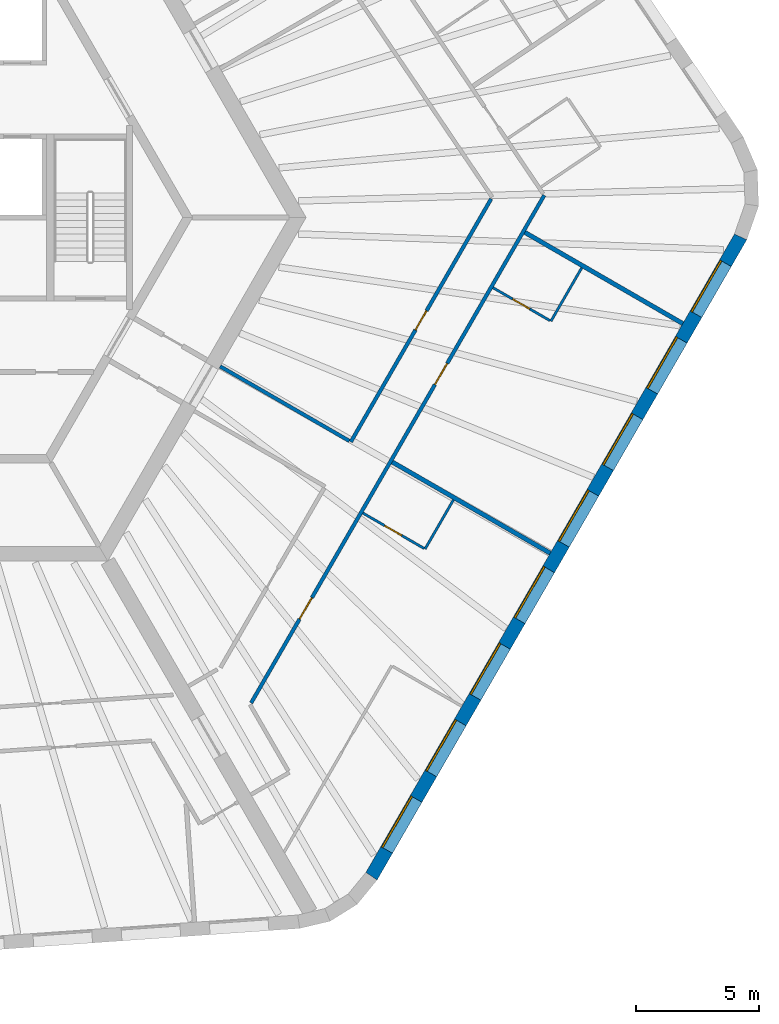
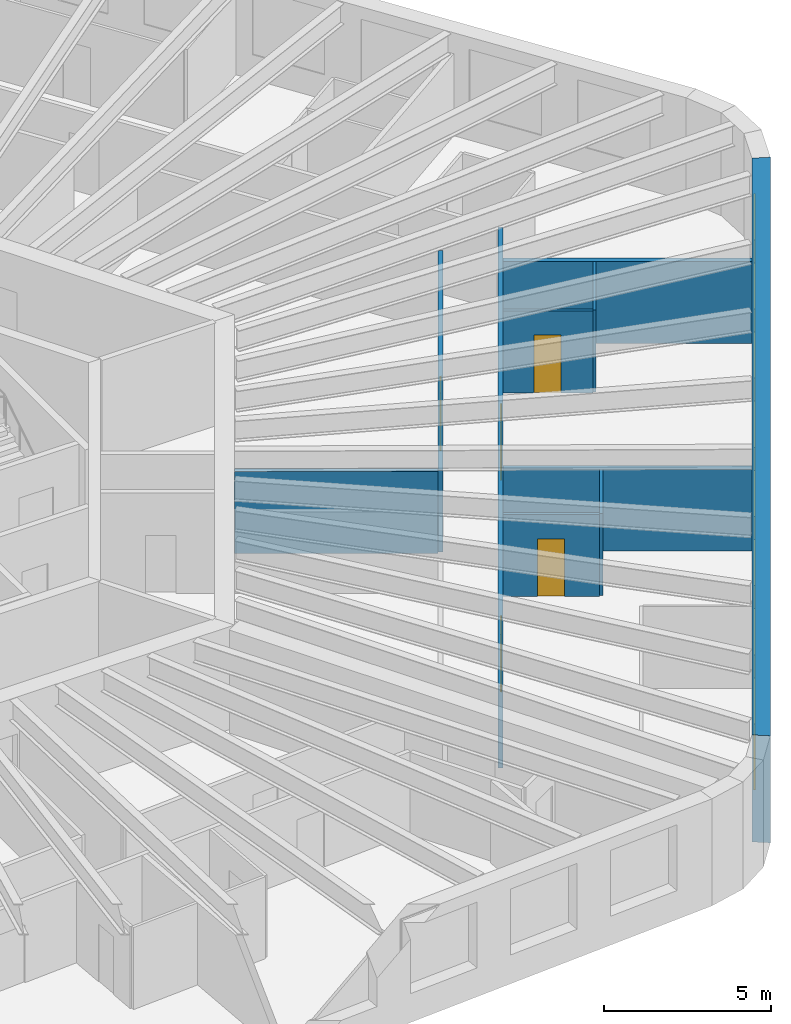
# One storey, part 6 of 12: 10 walls, 8 windows, 5 doors, 13 openings.
"""IFC4 building model written with IfcOpenShell, lengths in metres."""

from ifc_helpers import new_model, si_unit, direction, frame, frame_2d, origin, place, context, subcontext, project, spatial, polyline, rectangle, outline, extrude, material, layer, layer_set, type_object, element, fill, save


model = new_model("IFC4")

# Units and contexts
model_context = context("Model", 3, precision=1e-05, world=origin(), true_north=direction((0.0, 1.0)))
body_context = subcontext(model_context, "Body", "Model", "MODEL_VIEW")
ifc_project = project(units=[si_unit("LENGTHUNIT", "METRE"), si_unit("AREAUNIT", "SQUARE_METRE"), si_unit("VOLUMEUNIT", "CUBIC_METRE"), si_unit("PLANEANGLEUNIT", "RADIAN"), si_unit("MASSUNIT", "GRAM", prefix="KILO")], contexts=[model_context])

# Site, building, storey
site_placement = place(None, origin())
site = spatial("IfcSite", under=ifc_project, at=site_placement, CompositionType="ELEMENT")
building_placement = place(site_placement, origin())
building = spatial("IfcBuilding", under=site, at=building_placement, Name="Tarnside Tower", CompositionType="ELEMENT")
storey_placement = place(building_placement, frame((0.0, 0.0, 72.60009765625)))
storey = spatial("IfcBuildingStorey", under=building, at=storey_placement, Name="L15", CompositionType="ELEMENT", Elevation=72.60009765625)

# Wall
ifc_material_1 = material(Name="Gypsum board partition on steel studs", Category="steel")
ifc_layer_1 = layer(ifc_material_1, 0.10009765625)
ifc_layer_set_1 = layer_set([ifc_layer_1], Name="Bathroom wall 100")
wall_type_1 = type_object("IfcWallType", Name="Bathroom wall 100", PredefinedType="PARTITIONING", material=ifc_layer_set_1)
wall_1_placement = place(storey_placement, frame((22.16796875, -11.504150390625, 0.0), z_axis=(0.0, 0.0, 1.0), x_axis=(-0.500015210774, -0.866016621662, 0.0)))
element("IfcWall", 1, at=wall_1_placement, inside=storey, type_object=wall_type_1, Name="Bathroom wall 04127", PredefinedType="PARTITIONING", context=body_context, shape_type="SweptSolid", body=[
    extrude(rectangle(XDim=2.31005859375, YDim=0.10009765625, at=frame_2d((1.155029296875, 0.0))), origin(), (0.0, 0.0, 1.0), 2.98779296875),
])

# Wall, opening, door
wall_2_placement = place(storey_placement, frame((20.969482421875, -13.479736328125, 0.0), z_axis=(0.0, 0.0, 1.0), x_axis=(-0.866018712932, 0.500011588718, 0.0)))
wall_2 = element("IfcWall", 2, at=wall_2_placement, inside=storey, type_object=wall_type_1, Name="Bathroom wall 04128", PredefinedType="PARTITIONING", context=body_context, shape_type="SweptSolid", body=[
    extrude(rectangle(XDim=2.875, YDim=0.10009765625, at=frame_2d((1.4375, 0.0))), origin(), (0.0, 0.0, 1.0), 2.98779296875),
])
opening_1_placement = place(wall_2_placement, frame((1.050048828125, 0.0, 0.0)))
opening_1 = element("IfcOpeningElement", 3, at=opening_1_placement, cuts=wall_2, Name="Opening D-B1", PredefinedType="OPENING", context=body_context, shape_type="SweptSolid", body=[
    extrude(rectangle(XDim=0.800048828125, YDim=2.10009765625, at=frame_2d((0.39990234375, 1.050048828125))), frame((0.0, 0.06005859375, 0.0), z_axis=(0.0, -1.0, 0.0), x_axis=(1.0, 0.0, 0.0)), (0.0, 0.0, 1.0), 0.1201171875),
])
ifc_material_2 = material(Name="Timber door leaf", Category="wood")
door_type_1 = type_object("IfcDoorType", Name="Bathroom door 800", OperationType="NOTDEFINED", PredefinedType="DOOR", material=ifc_material_2)
door_1_placement = place(opening_1_placement, origin())
door_1 = element("IfcDoor", 4, at=door_1_placement, inside=storey, type_object=door_type_1, Name="Bathroom door 04029", OperationType="SINGLE_SWING_RIGHT", OverallHeight=2.10009765625, OverallWidth=0.800048828125, PredefinedType="DOOR", context=body_context, shape_type="SweptSolid", body=[
    extrude(rectangle(XDim=0.800048828125, YDim=2.10009765625, at=frame_2d((0.39990234375, 1.050048828125))), frame((0.0, 0.02490234375, 0.0), z_axis=(0.0, -1.0, 0.0), x_axis=(1.0, 0.0, 0.0)), (0.0, 0.0, 1.0), 0.050048828125),
])
fill(opening_1, door_1)

# Wall
wall_3_placement = place(storey_placement, frame((27.394775390625, -2.051025390625, 0.0), z_axis=(0.0, 0.0, 1.0), x_axis=(-0.50001992892, -0.866013897511, 0.0)))
element("IfcWall", 5, at=wall_3_placement, inside=storey, type_object=wall_type_1, Name="Bathroom wall 04133", PredefinedType="PARTITIONING", context=body_context, shape_type="SweptSolid", body=[
    extrude(rectangle(XDim=2.51025390625, YDim=0.10009765625, at=frame_2d((1.255126953125, 0.0))), origin(), (0.0, 0.0, 1.0), 2.98779296875),
])

# Wall, opening, door
wall_4_placement = place(storey_placement, frame((26.096435546875, -4.19970703125, 0.0), z_axis=(0.0, 0.0, 1.0), x_axis=(-0.86604424267, 0.499967368674, 0.0)))
wall_4 = element("IfcWall", 6, at=wall_4_placement, inside=storey, type_object=wall_type_1, Name="Bathroom wall 04134", PredefinedType="PARTITIONING", context=body_context, shape_type="SweptSolid", body=[
    extrude(rectangle(XDim=2.675048828125, YDim=0.10009765625, at=frame_2d((1.33740234375, 0.0))), origin(), (0.0, 0.0, 1.0), 2.98779296875),
])
opening_2_placement = place(wall_4_placement, frame((0.949951171875, 0.0, 0.0)))
opening_2 = element("IfcOpeningElement", 7, at=opening_2_placement, cuts=wall_4, Name="Opening D-B1", PredefinedType="OPENING", context=body_context, shape_type="SweptSolid", body=[
    extrude(rectangle(XDim=0.800048828125, YDim=2.10009765625, at=frame_2d((0.39990234375, 1.050048828125))), frame((0.0, 0.06005859375, 0.0), z_axis=(0.0, -1.0, 0.0), x_axis=(1.0, 0.0, 0.0)), (0.0, 0.0, 1.0), 0.1201171875),
])
door_2_placement = place(opening_2_placement, origin())
door_2 = element("IfcDoor", 8, at=door_2_placement, inside=storey, type_object=door_type_1, Name="Bathroom door 04032", OperationType="SINGLE_SWING_LEFT", OverallHeight=2.10009765625, OverallWidth=0.800048828125, PredefinedType="DOOR", context=body_context, shape_type="SweptSolid", body=[
    extrude(rectangle(XDim=0.800048828125, YDim=2.10009765625, at=frame_2d((0.39990234375, 1.050048828125))), frame((0.0, 0.02490234375, 0.0), z_axis=(0.0, -1.0, 0.0), x_axis=(1.0, 0.0, 0.0)), (0.0, 0.0, 1.0), 0.050048828125),
])
fill(opening_2, door_2)

# Wall, openings, doors
ifc_layer_2 = layer(ifc_material_1, 0.14990234375)
ifc_layer_set_2 = layer_set([ifc_layer_2], Name="Corridor wall 150 EI 60")
wall_type_2 = type_object("IfcWallType", Name="Corridor wall 150 EI 60", PredefinedType="PARTITIONING", material=ifc_layer_set_2)
wall_5_placement = place(storey_placement, frame((13.928466796875, -19.77490234375, 0.0), z_axis=(0.0, 0.0, 1.0), x_axis=(0.50000450071, 0.866022805283, 0.0)))
wall_5 = element("IfcWall", 9, at=wall_5_placement, inside=storey, type_object=wall_type_2, Name="Corridor wall 04052", PredefinedType="PARTITIONING", context=body_context, shape_type="SweptSolid", body=[
    extrude(rectangle(XDim=23.877197265625, YDim=0.14990234375, at=frame_2d((11.9384765625, 0.0))), origin(), (0.0, 0.0, 1.0), 2.98779296875),
])
opening_3_placement = place(wall_5_placement, frame((3.94287109375, 0.0, 0.0)))
opening_3 = element("IfcOpeningElement", 10, at=opening_3_placement, cuts=wall_5, Name="Opening D-E1", PredefinedType="OPENING", context=body_context, shape_type="SweptSolid", body=[
    extrude(rectangle(XDim=1.0, YDim=2.10009765625, at=frame_2d((0.5, 1.050048828125))), frame((0.0, 0.0849609375, 0.0), z_axis=(0.0, -1.0, 0.0), x_axis=(1.0, 0.0, 0.0)), (0.0, 0.0, 1.0), 0.169921875),
])
opening_4_placement = place(wall_5_placement, frame((14.972412109375, 0.0, 0.0)))
opening_4 = element("IfcOpeningElement", 11, at=opening_4_placement, cuts=wall_5, Name="Opening D-E1", PredefinedType="OPENING", context=body_context, shape_type="SweptSolid", body=[
    extrude(rectangle(XDim=1.0, YDim=2.10009765625, at=frame_2d((0.5, 1.050048828125))), frame((0.0, 0.0849609375, 0.0), z_axis=(0.0, -1.0, 0.0), x_axis=(1.0, 0.0, 0.0)), (0.0, 0.0, 1.0), 0.169921875),
])
door_type_2 = type_object("IfcDoorType", Name="Unit entrance door 1000 FD30S", OperationType="NOTDEFINED", PredefinedType="DOOR", material=ifc_material_2)
door_3_placement = place(opening_3_placement, origin())
door_3 = element("IfcDoor", 12, at=door_3_placement, inside=storey, type_object=door_type_2, Name="Unit door 04028", OperationType="SINGLE_SWING_RIGHT", OverallHeight=2.10009765625, OverallWidth=1.0, PredefinedType="DOOR", context=body_context, shape_type="SweptSolid", body=[
    extrude(rectangle(XDim=1.0, YDim=2.10009765625, at=frame_2d((0.5, 1.050048828125))), frame((0.0, 0.02490234375, 0.0), z_axis=(0.0, -1.0, 0.0), x_axis=(1.0, 0.0, 0.0)), (0.0, 0.0, 1.0), 0.050048828125),
])
fill(opening_3, door_3)
door_4_placement = place(opening_4_placement, origin())
door_4 = element("IfcDoor", 13, at=door_4_placement, inside=storey, type_object=door_type_2, Name="Unit door 04031", OperationType="SINGLE_SWING_LEFT", OverallHeight=2.10009765625, OverallWidth=1.0, PredefinedType="DOOR", context=body_context, shape_type="SweptSolid", body=[
    extrude(rectangle(XDim=1.0, YDim=2.10009765625, at=frame_2d((0.5, 1.050048828125))), frame((0.0, 0.02490234375, 0.0), z_axis=(0.0, -1.0, 0.0), x_axis=(1.0, 0.0, 0.0)), (0.0, 0.0, 1.0), 0.050048828125),
])
fill(opening_4, door_4)

# Wall, opening, door
wall_6_placement = place(storey_placement, frame((23.704345703125, 0.757080078125, 0.0), z_axis=(0.0, 0.0, 1.0), x_axis=(-0.500010297365, -0.866019458516, 0.0)))
wall_6 = element("IfcWall", 14, at=wall_6_placement, inside=storey, type_object=wall_type_2, Name="Corridor wall 04069", PredefinedType="PARTITIONING", context=body_context, shape_type="SweptSolid", body=[
    extrude(rectangle(XDim=11.428955078125, YDim=0.14990234375, at=frame_2d((5.71435546875, 0.0))), origin(), (0.0, 0.0, 1.0), 2.98779296875),
])
opening_5_placement = place(wall_6_placement, frame((5.264404296875, 0.0, 0.0)))
opening_5 = element("IfcOpeningElement", 15, at=opening_5_placement, cuts=wall_6, Name="Opening D-S1", PredefinedType="OPENING", context=body_context, shape_type="SweptSolid", body=[
    extrude(rectangle(XDim=0.89990234375, YDim=2.10009765625, at=frame_2d((0.449951171875, 1.050048828125))), frame((0.0, 0.0849609375, 0.0), z_axis=(0.0, -1.0, 0.0), x_axis=(1.0, 0.0, 0.0)), (0.0, 0.0, 1.0), 0.169921875),
])
door_type_3 = type_object("IfcDoorType", Name="Service room door 900 FD30S", OperationType="NOTDEFINED", PredefinedType="DOOR", material=ifc_material_2)
door_5_placement = place(opening_5_placement, origin())
door_5 = element("IfcDoor", 16, at=door_5_placement, inside=storey, type_object=door_type_3, Name="Service door 04047", OperationType="SINGLE_SWING_LEFT", OverallHeight=2.10009765625, OverallWidth=0.89990234375, PredefinedType="DOOR", context=body_context, shape_type="SweptSolid", body=[
    extrude(rectangle(XDim=0.89990234375, YDim=2.10009765625, at=frame_2d((0.449951171875, 1.050048828125))), frame((0.0, 0.02490234375, 0.0), z_axis=(0.0, -1.0, 0.0), x_axis=(1.0, 0.0, 0.0)), (0.0, 0.0, 1.0), 0.050048828125),
])
fill(opening_5, door_5)

# Walls
wall_7_placement = place(storey_placement, frame((17.9248046875, -9.103271484375, 0.0), z_axis=(0.0, 0.0, 1.0), x_axis=(-0.866013586754, 0.500020467139, 0.0)))
element("IfcWall", 17, at=wall_7_placement, inside=storey, type_object=wall_type_2, Name="Corridor wall 04070", PredefinedType="PARTITIONING", context=body_context, shape_type="SweptSolid", body=[
    extrude(rectangle(XDim=6.074951171875, YDim=0.14990234375, at=frame_2d((3.03759765625, 0.0))), origin(), (0.0, 0.0, 1.0), 2.98779296875),
])
ifc_layer_3 = layer(ifc_material_1, 0.179931640625)
ifc_layer_set_3 = layer_set([ifc_layer_3], Name="Demising wall 180 EI 60")
wall_type_3 = type_object("IfcWallType", Name="Demising wall 180 EI 60", PredefinedType="PARTITIONING", material=ifc_layer_set_3)
wall_8_placement = place(storey_placement, frame((26.10986328125, -13.67626953125, 0.0), z_axis=(0.0, 0.0, 1.0), x_axis=(-0.866014745021, 0.500018461065, 0.0)))
element("IfcWall", 18, at=wall_8_placement, inside=storey, type_object=wall_type_3, Name="Demising wall 04131", PredefinedType="PARTITIONING", context=body_context, shape_type="SweptSolid", body=[
    extrude(rectangle(XDim=7.425048828125, YDim=0.179931640625, at=frame_2d((3.71240234375, 0.0))), origin(), (0.0, 0.0, 1.0), 2.98779296875),
])
wall_9_placement = place(storey_placement, frame((31.510009765625, -4.322998046875, 0.0), z_axis=(0.0, 0.0, 1.0), x_axis=(-0.866028983062, 0.499993800457, 0.0)))
element("IfcWall", 19, at=wall_9_placement, inside=storey, type_object=wall_type_3, Name="Demising wall 04135", PredefinedType="PARTITIONING", context=body_context, shape_type="SweptSolid", body=[
    extrude(rectangle(XDim=7.4248046875, YDim=0.179931640625, at=frame_2d((3.71240234375, 0.0))), origin(), (0.0, 0.0, 1.0), 2.98779296875),
])

# Wall, openings, windows
ifc_material_3 = material(Name="Facing brick", Category="masonry")
ifc_layer_4 = layer(ifc_material_3, 0.10205078125)
ifc_material_4 = material(Name="Concrete C60/75 precast", Category="concrete")
ifc_layer_5 = layer(ifc_material_4, 0.347900390625)
ifc_material_5 = material(Name="Mineral wool insulation")
ifc_layer_6 = layer(ifc_material_5, 0.10009765625)
ifc_layer_set_4 = layer_set([ifc_layer_4, ifc_layer_5, ifc_layer_6], Name="Tube wall 550 brick faced")
wall_type_4 = type_object("IfcWallType", Name="Tube wall 550 brick faced", PredefinedType="SOLIDWALL", material=ifc_layer_set_4)
wall_10_placement = place(storey_placement, frame((18.830322265625, -26.834716796875, -0.150146484375), z_axis=(0.0, 0.0, 1.0), x_axis=(0.500003800416, 0.866023209602, 0.0)))
wall_10 = element("IfcWall", 20, at=wall_10_placement, inside=storey, type_object=wall_type_4, Name="Tube wall L15 F5 flush 16", PredefinedType="SOLIDWALL", context=body_context, shape_type="SweptSolid", body=[
    extrude(outline(polyline([(-0.0224609375, -0.27490234375), (30.0966796875, -0.27490234375), (30.04541015625, 0.27490234375), (0.0224609375, 0.27490234375), (-0.0224609375, -0.27490234375)])), origin(), (0.0, 0.0, 1.0), 3.900146484375),
])
opening_6_placement = place(wall_10_placement, frame((1.235595703125, 0.0, 1.050048828125)))
opening_6 = element("IfcOpeningElement", 21, at=opening_6_placement, cuts=wall_10, Name="Opening WH", PredefinedType="OPENING", context=body_context, shape_type="SweptSolid", body=[
    extrude(rectangle(XDim=2.39990234375, YDim=2.39990234375, at=frame_2d((1.199951171875, 1.199951171875))), frame((0.0, 0.28515625, 0.0), z_axis=(0.0, -1.0, 0.0), x_axis=(1.0, 0.0, 0.0)), (0.0, 0.0, 1.0), 0.570068359375),
])
opening_7_placement = place(wall_10_placement, frame((4.83544921875, 0.0, 1.050048828125)))
opening_7 = element("IfcOpeningElement", 22, at=opening_7_placement, cuts=wall_10, Name="Opening WH", PredefinedType="OPENING", context=body_context, shape_type="SweptSolid", body=[
    extrude(rectangle(XDim=2.39990234375, YDim=2.39990234375, at=frame_2d((1.199951171875, 1.199951171875))), frame((0.0, 0.28515625, 0.0), z_axis=(0.0, -1.0, 0.0), x_axis=(1.0, 0.0, 0.0)), (0.0, 0.0, 1.0), 0.570068359375),
])
opening_8_placement = place(wall_10_placement, frame((8.435546875, 0.0, 1.050048828125)))
opening_8 = element("IfcOpeningElement", 23, at=opening_8_placement, cuts=wall_10, Name="Opening WH", PredefinedType="OPENING", context=body_context, shape_type="SweptSolid", body=[
    extrude(rectangle(XDim=2.39990234375, YDim=2.39990234375, at=frame_2d((1.199951171875, 1.199951171875))), frame((0.0, 0.28515625, 0.0), z_axis=(0.0, -1.0, 0.0), x_axis=(1.0, 0.0, 0.0)), (0.0, 0.0, 1.0), 0.570068359375),
])
opening_9_placement = place(wall_10_placement, frame((12.035400390625, 0.0, 1.050048828125)))
opening_9 = element("IfcOpeningElement", 24, at=opening_9_placement, cuts=wall_10, Name="Opening WH", PredefinedType="OPENING", context=body_context, shape_type="SweptSolid", body=[
    extrude(rectangle(XDim=2.39990234375, YDim=2.39990234375, at=frame_2d((1.199951171875, 1.199951171875))), frame((0.0, 0.28515625, 0.0), z_axis=(0.0, -1.0, 0.0), x_axis=(1.0, 0.0, 0.0)), (0.0, 0.0, 1.0), 0.570068359375),
])
opening_10_placement = place(wall_10_placement, frame((15.635498046875, 0.0, 1.050048828125)))
opening_10 = element("IfcOpeningElement", 25, at=opening_10_placement, cuts=wall_10, Name="Opening WH", PredefinedType="OPENING", context=body_context, shape_type="SweptSolid", body=[
    extrude(rectangle(XDim=2.39990234375, YDim=2.39990234375, at=frame_2d((1.199951171875, 1.199951171875))), frame((0.0, 0.28515625, 0.0), z_axis=(0.0, -1.0, 0.0), x_axis=(1.0, 0.0, 0.0)), (0.0, 0.0, 1.0), 0.570068359375),
])
opening_11_placement = place(wall_10_placement, frame((19.235595703125, 0.0, 1.050048828125)))
opening_11 = element("IfcOpeningElement", 26, at=opening_11_placement, cuts=wall_10, Name="Opening WH", PredefinedType="OPENING", context=body_context, shape_type="SweptSolid", body=[
    extrude(rectangle(XDim=2.39990234375, YDim=2.39990234375, at=frame_2d((1.199951171875, 1.199951171875))), frame((0.0, 0.28515625, 0.0), z_axis=(0.0, -1.0, 0.0), x_axis=(1.0, 0.0, 0.0)), (0.0, 0.0, 1.0), 0.570068359375),
])
opening_12_placement = place(wall_10_placement, frame((22.83544921875, 0.0, 1.050048828125)))
opening_12 = element("IfcOpeningElement", 27, at=opening_12_placement, cuts=wall_10, Name="Opening WH", PredefinedType="OPENING", context=body_context, shape_type="SweptSolid", body=[
    extrude(rectangle(XDim=2.39990234375, YDim=2.39990234375, at=frame_2d((1.199951171875, 1.199951171875))), frame((0.0, 0.28515625, 0.0), z_axis=(0.0, -1.0, 0.0), x_axis=(1.0, 0.0, 0.0)), (0.0, 0.0, 1.0), 0.570068359375),
])
opening_13_placement = place(wall_10_placement, frame((26.435546875, 0.0, 1.050048828125)))
opening_13 = element("IfcOpeningElement", 28, at=opening_13_placement, cuts=wall_10, Name="Opening WH", PredefinedType="OPENING", context=body_context, shape_type="SweptSolid", body=[
    extrude(rectangle(XDim=2.39990234375, YDim=2.39990234375, at=frame_2d((1.199951171875, 1.199951171875))), frame((0.0, 0.28515625, 0.0), z_axis=(0.0, -1.0, 0.0), x_axis=(1.0, 0.0, 0.0)), (0.0, 0.0, 1.0), 0.570068359375),
])
ifc_material_6 = material(Name="Aluminium-framed double glazing", Category="aluminium")
window_type = type_object("IfcWindowType", Name="Hotel window 2400 x 2400", PartitioningType="DOUBLE_PANEL_VERTICAL", PredefinedType="WINDOW", material=ifc_material_6)
window_1_placement = place(opening_6_placement, frame((0.0, 0.205078125, 0.0)))
window_1 = element("IfcWindow", 29, at=window_1_placement, inside=storey, type_object=window_type, Name="E.WN.L15.F5.00", OverallHeight=2.39990234375, OverallWidth=2.39990234375, PartitioningType="DOUBLE_PANEL_VERTICAL", PredefinedType="WINDOW", context=body_context, shape_type="SweptSolid", body=[
    extrude(rectangle(XDim=2.39990234375, YDim=2.39990234375, at=frame_2d((1.199951171875, 1.199951171875))), frame((0.0, 0.030029296875, 0.0), z_axis=(0.0, -1.0, 0.0), x_axis=(1.0, 0.0, 0.0)), (0.0, 0.0, 1.0), 0.06005859375),
])
fill(opening_6, window_1)
window_2_placement = place(opening_7_placement, frame((0.0, 0.205078125, 0.0)))
window_2 = element("IfcWindow", 30, at=window_2_placement, inside=storey, type_object=window_type, Name="E.WN.L15.F5.01", OverallHeight=2.39990234375, OverallWidth=2.39990234375, PartitioningType="DOUBLE_PANEL_VERTICAL", PredefinedType="WINDOW", context=body_context, shape_type="SweptSolid", body=[
    extrude(rectangle(XDim=2.39990234375, YDim=2.39990234375, at=frame_2d((1.199951171875, 1.199951171875))), frame((0.0, 0.030029296875, 0.0), z_axis=(0.0, -1.0, 0.0), x_axis=(1.0, 0.0, 0.0)), (0.0, 0.0, 1.0), 0.06005859375),
])
fill(opening_7, window_2)
window_3_placement = place(opening_8_placement, frame((0.0, 0.205078125, 0.0)))
window_3 = element("IfcWindow", 31, at=window_3_placement, inside=storey, type_object=window_type, Name="E.WN.L15.F5.02", OverallHeight=2.39990234375, OverallWidth=2.39990234375, PartitioningType="DOUBLE_PANEL_VERTICAL", PredefinedType="WINDOW", context=body_context, shape_type="SweptSolid", body=[
    extrude(rectangle(XDim=2.39990234375, YDim=2.39990234375, at=frame_2d((1.199951171875, 1.199951171875))), frame((0.0, 0.030029296875, 0.0), z_axis=(0.0, -1.0, 0.0), x_axis=(1.0, 0.0, 0.0)), (0.0, 0.0, 1.0), 0.06005859375),
])
fill(opening_8, window_3)
window_4_placement = place(opening_9_placement, frame((0.0, 0.205078125, 0.0)))
window_4 = element("IfcWindow", 32, at=window_4_placement, inside=storey, type_object=window_type, Name="E.WN.L15.F5.03", OverallHeight=2.39990234375, OverallWidth=2.39990234375, PartitioningType="DOUBLE_PANEL_VERTICAL", PredefinedType="WINDOW", context=body_context, shape_type="SweptSolid", body=[
    extrude(rectangle(XDim=2.39990234375, YDim=2.39990234375, at=frame_2d((1.199951171875, 1.199951171875))), frame((0.0, 0.030029296875, 0.0), z_axis=(0.0, -1.0, 0.0), x_axis=(1.0, 0.0, 0.0)), (0.0, 0.0, 1.0), 0.06005859375),
])
fill(opening_9, window_4)
window_5_placement = place(opening_10_placement, frame((0.0, 0.205078125, 0.0)))
window_5 = element("IfcWindow", 33, at=window_5_placement, inside=storey, type_object=window_type, Name="E.WN.L15.F5.04", OverallHeight=2.39990234375, OverallWidth=2.39990234375, PartitioningType="DOUBLE_PANEL_VERTICAL", PredefinedType="WINDOW", context=body_context, shape_type="SweptSolid", body=[
    extrude(rectangle(XDim=2.39990234375, YDim=2.39990234375, at=frame_2d((1.199951171875, 1.199951171875))), frame((0.0, 0.030029296875, 0.0), z_axis=(0.0, -1.0, 0.0), x_axis=(1.0, 0.0, 0.0)), (0.0, 0.0, 1.0), 0.06005859375),
])
fill(opening_10, window_5)
window_6_placement = place(opening_11_placement, frame((0.0, 0.205078125, 0.0)))
window_6 = element("IfcWindow", 34, at=window_6_placement, inside=storey, type_object=window_type, Name="E.WN.L15.F5.05", OverallHeight=2.39990234375, OverallWidth=2.39990234375, PartitioningType="DOUBLE_PANEL_VERTICAL", PredefinedType="WINDOW", context=body_context, shape_type="SweptSolid", body=[
    extrude(rectangle(XDim=2.39990234375, YDim=2.39990234375, at=frame_2d((1.199951171875, 1.199951171875))), frame((0.0, 0.030029296875, 0.0), z_axis=(0.0, -1.0, 0.0), x_axis=(1.0, 0.0, 0.0)), (0.0, 0.0, 1.0), 0.06005859375),
])
fill(opening_11, window_6)
window_7_placement = place(opening_12_placement, frame((0.0, 0.205078125, 0.0)))
window_7 = element("IfcWindow", 35, at=window_7_placement, inside=storey, type_object=window_type, Name="E.WN.L15.F5.06", OverallHeight=2.39990234375, OverallWidth=2.39990234375, PartitioningType="DOUBLE_PANEL_VERTICAL", PredefinedType="WINDOW", context=body_context, shape_type="SweptSolid", body=[
    extrude(rectangle(XDim=2.39990234375, YDim=2.39990234375, at=frame_2d((1.199951171875, 1.199951171875))), frame((0.0, 0.030029296875, 0.0), z_axis=(0.0, -1.0, 0.0), x_axis=(1.0, 0.0, 0.0)), (0.0, 0.0, 1.0), 0.06005859375),
])
fill(opening_12, window_7)
window_8_placement = place(opening_13_placement, frame((0.0, 0.205078125, 0.0)))
window_8 = element("IfcWindow", 36, at=window_8_placement, inside=storey, type_object=window_type, Name="E.WN.L15.F5.07", OverallHeight=2.39990234375, OverallWidth=2.39990234375, PartitioningType="DOUBLE_PANEL_VERTICAL", PredefinedType="WINDOW", context=body_context, shape_type="SweptSolid", body=[
    extrude(rectangle(XDim=2.39990234375, YDim=2.39990234375, at=frame_2d((1.199951171875, 1.199951171875))), frame((0.0, 0.030029296875, 0.0), z_axis=(0.0, -1.0, 0.0), x_axis=(1.0, 0.0, 0.0)), (0.0, 0.0, 1.0), 0.06005859375),
])
fill(opening_13, window_8)

save(model, "model.ifc")
